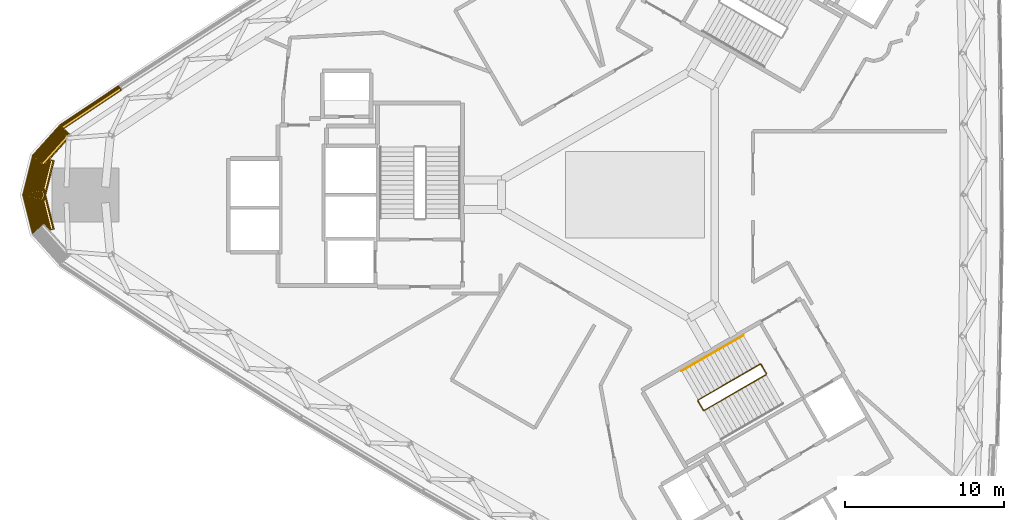
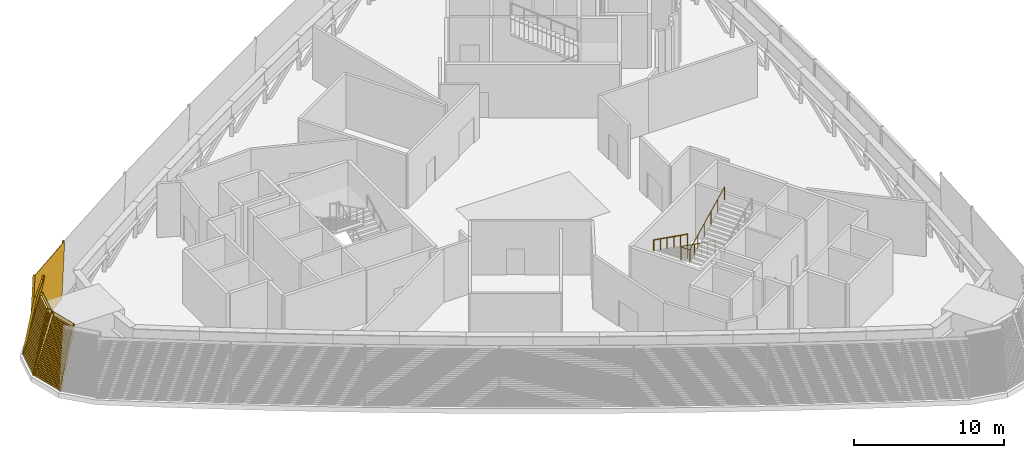
# One storey, part 17 of 19: 4 coverings, 2 railings.
"""IFC4 building model written with IfcOpenShell, lengths in metres."""

import ifcopenshell
import ifcopenshell.guid

model = None  # the IFC model being written
_history = None  # IfcOwnerHistory: only IFC2X3 demands one
_inside = {}  # id of a spatial element -> (the spatial element, [elements in it])
_under = {}  # id of a project, library or spatial element -> (it, [spatial elements below it])
_declared = {}  # id of a project -> (the project, [libraries it declares])
_typed = {}  # id of a type object -> (the type object, [elements of that type])
_made_of = {}  # id of a material, layer set ... -> (it, [elements and type objects made of it])


def new_model(schema):
    """Start an empty IFC model of exactly this schema.

    Asked for "IFC4X3", IfcOpenShell would pick the latest addendum, in which some entities
    have other attributes; the version numbers below select the first issue.
    IFC2X3 requires an IfcOwnerHistory on every rooted entity: one is made here for all.
    """
    global model, _history
    if schema == "IFC4X3":
        model = ifcopenshell.file(schema_version=(4, 3, 0, 0))
    else:
        model = ifcopenshell.file(schema=schema)
    _inside.clear()
    _under.clear()
    _declared.clear()
    _typed.clear()
    _made_of.clear()
    _history = None
    if model.schema == "IFC2X3":
        org = make("IfcOrganization", Name="unknown")
        user = make(
            "IfcPersonAndOrganization",
            ThePerson=make("IfcPerson", FamilyName="unknown"),
            TheOrganization=org,
        )
        app = make(
            "IfcApplication",
            ApplicationDeveloper=org,
            Version="unknown",
            ApplicationFullName="unknown",
            ApplicationIdentifier="unknown",
        )
        _history = make(
            "IfcOwnerHistory",
            OwningUser=user,
            OwningApplication=app,
            ChangeAction="ADDED",
            CreationDate=0,
        )
    return model


def make(cls, **values):
    """One entity of the class cls with the attributes given. An attribute that is None is left unset."""
    return model.create_entity(
        cls, **{name: value for name, value in values.items() if value is not None}
    )


def rooted(cls, **values):
    """An entity with a GlobalId (a new one), such as an element, a storey or a relation."""
    return make(cls, GlobalId=ifcopenshell.guid.new(), OwnerHistory=_history, **values)


def si_unit(unit_type, name, prefix=None):
    """IfcSIUnit, for example si_unit("LENGTHUNIT", "METRE", prefix="MILLI")."""
    return make("IfcSIUnit", UnitType=unit_type, Prefix=prefix, Name=name)


def assignment(units):
    """IfcUnitAssignment: the units of a project."""
    return None if units is None else make("IfcUnitAssignment", Units=units)


def point(xyz):
    """IfcCartesianPoint."""
    return None if xyz is None else make("IfcCartesianPoint", Coordinates=xyz)


def direction(xyz):
    """IfcDirection."""
    return None if xyz is None else make("IfcDirection", DirectionRatios=xyz)


def frame(location, z_axis=None, x_axis=None):
    """IfcAxis2Placement3D, a coordinate frame: its origin and axes. An axis left out is left unset."""
    return make(
        "IfcAxis2Placement3D",
        Location=point(location),
        Axis=direction(z_axis),
        RefDirection=direction(x_axis),
    )


def frame_2d(location, x_axis=None):
    """IfcAxis2Placement2D, a coordinate frame in the plane: its origin and x axis."""
    return make(
        "IfcAxis2Placement2D", Location=point(location), RefDirection=direction(x_axis)
    )


def origin():
    """The frame at (0, 0, 0) with its axes left unset."""
    return frame((0.0, 0.0, 0.0))


def origin_2d():
    """The frame at (0, 0) in the plane with its x axis left unset."""
    return frame_2d((0.0, 0.0))


def place(relative_to, where):
    """IfcLocalPlacement: puts the frame where relative to a parent placement (None: the world)."""
    return make(
        "IfcLocalPlacement", PlacementRelTo=relative_to, RelativePlacement=where
    )


def context(
    kind, dimensions, precision=None, world=None, true_north=None, identifier=None
):
    """IfcGeometricRepresentationContext, for example the 3D "Model" context."""
    return make(
        "IfcGeometricRepresentationContext",
        ContextIdentifier=identifier,
        ContextType=kind,
        CoordinateSpaceDimension=dimensions,
        Precision=precision,
        WorldCoordinateSystem=world,
        TrueNorth=true_north,
    )


def subcontext(parent, identifier, kind, view, scale=None):
    """IfcGeometricRepresentationSubContext, for example "Body" below "Model"."""
    return make(
        "IfcGeometricRepresentationSubContext",
        ContextIdentifier=identifier,
        ContextType=kind,
        ParentContext=parent,
        TargetScale=scale,
        TargetView=view,
    )


def project(units=None, contexts=None):
    """IfcProject with its units and contexts."""
    return rooted(
        "IfcProject",
        Name="project",
        RepresentationContexts=contexts,
        UnitsInContext=assignment(units),
    )


def spatial(cls, under=None, at=None, **own):
    """A site, building, storey or space (cls), placed at a placement, below another one or the project."""
    s = rooted(cls, ObjectPlacement=at, **own)
    if under is not None:
        _under.setdefault(under.id(), (under, []))[1].append(s)
    return s


def profile(cls, at=None, kind="AREA", **sizes):
    """A parametric profile (cls). Its sizes go by their IFC names, for example OverallWidth=200.0."""
    return make(cls, ProfileType=kind, Position=at, **sizes)


def rectangle(**sizes):
    """IfcRectangleProfileDef."""
    return profile("IfcRectangleProfileDef", **sizes)


def circle(**sizes):
    """IfcCircleProfileDef."""
    return profile("IfcCircleProfileDef", **sizes)


def extrude(swept, where, along, depth):
    """IfcExtrudedAreaSolid: the profile swept, set in the frame where, extruded along a direction by depth."""
    return make(
        "IfcExtrudedAreaSolid",
        SweptArea=swept,
        Position=where,
        ExtrudedDirection=direction(along),
        Depth=depth,
    )


def shape(context_of_items, identifier, shape_type, items):
    """IfcShapeRepresentation: the items that make up one representation, for example the "Body"."""
    return make(
        "IfcShapeRepresentation",
        ContextOfItems=context_of_items,
        RepresentationIdentifier=identifier,
        RepresentationType=shape_type,
        Items=items,
    )


def source(mapping_origin, context_of_items, identifier, shape_type, items):
    """IfcRepresentationMap: a shape defined once, which mapped items show again and again."""
    return make(
        "IfcRepresentationMap",
        MappingOrigin=mapping_origin,
        MappedRepresentation=shape(context_of_items, identifier, shape_type, items),
    )


def transform(
    local_origin,
    x_axis=None,
    y_axis=None,
    z_axis=None,
    scale=None,
    scale2=None,
    scale3=None,
    uniform=True,
):
    """IfcCartesianTransformationOperator3D, or its non-uniform kind. x_axis, y_axis, z_axis: its Axis1, 2, 3."""
    if uniform:
        return make(
            "IfcCartesianTransformationOperator3D",
            Axis1=direction(x_axis),
            Axis2=direction(y_axis),
            LocalOrigin=point(local_origin),
            Scale=scale,
            Axis3=direction(z_axis),
        )
    return make(
        "IfcCartesianTransformationOperator3DnonUniform",
        Axis1=direction(x_axis),
        Axis2=direction(y_axis),
        LocalOrigin=point(local_origin),
        Scale=scale,
        Axis3=direction(z_axis),
        Scale2=scale2,
        Scale3=scale3,
    )


def mapped(mapping_source, mapping_target):
    """IfcMappedItem: shows the shape of a source again, moved by a transform."""
    return make(
        "IfcMappedItem", MappingSource=mapping_source, MappingTarget=mapping_target
    )


def material(Name=None, Category=None):
    """IfcMaterial."""
    return make("IfcMaterial", Name=Name, Category=Category)


def made_of(thing, what):
    """Note that an element or type object is made of a material, layer set ...; save() writes the relation."""
    if what is not None:
        _made_of.setdefault(what.id(), (what, []))[1].append(thing)
    return thing


def type_object(cls, material=None, **own):
    """A type object (cls), such as IfcWallType, which elements share."""
    return made_of(rooted(cls, **own), material)


def element(
    cls,
    number,
    at=None,
    inside=None,
    cuts=None,
    type_object=None,
    material=None,
    context=None,
    identifier="Body",
    shape_type=None,
    held_by="IfcProductDefinitionShape",
    body=None,
    shapes=None,
    **own,
):
    """One element of the class cls, such as IfcWall. Its Tag is "e" and its number.

    at: its placement. inside: the storey or other place that contains it. cuts: it is an
    opening in that element (IfcRelVoidsElement). A single representation is given by context,
    identifier, shape_type and body (its items); several are given by shapes. held_by: the class
    of the entity that holds the representations. save() writes the other relations.
    """
    e = rooted(cls, Tag="e%d" % number, ObjectPlacement=at, **own)
    if body is not None:
        shapes = [shape(context, identifier, shape_type, body)]
    if shapes is not None:
        e.Representation = make(held_by, Representations=shapes)
    if inside is not None:
        _inside.setdefault(inside.id(), (inside, []))[1].append(e)
    if cuts is not None:
        rooted(
            "IfcRelVoidsElement", RelatingBuildingElement=cuts, RelatedOpeningElement=e
        )
    if type_object is not None:
        _typed.setdefault(type_object.id(), (type_object, []))[1].append(e)
    return made_of(e, material)


def aggregate(whole, parts):
    """IfcRelAggregates: a whole, such as a stair, and the parts it consists of."""
    return rooted("IfcRelAggregates", RelatingObject=whole, RelatedObjects=parts)


def save(model, path):
    """Write the relations noted so far, then the file.

    IfcRelAggregates (storeys below a building ...), IfcRelContainedInSpatialStructure (elements
    in a storey), IfcRelDefinesByType, IfcRelAssociatesMaterial and IfcRelDeclares: one each for
    every whole, place, type object, material and project.
    """
    for whole, parts in _under.values():
        aggregate(whole, parts)
    for where, things in _inside.values():
        rooted(
            "IfcRelContainedInSpatialStructure",
            RelatedElements=things,
            RelatingStructure=where,
        )
    for kind, things in _typed.values():
        rooted("IfcRelDefinesByType", RelatedObjects=things, RelatingType=kind)
    for what, things in _made_of.values():
        rooted("IfcRelAssociatesMaterial", RelatedObjects=things, RelatingMaterial=what)
    for by, libraries in _declared.values():
        rooted("IfcRelDeclares", RelatingContext=by, RelatedDefinitions=libraries)
    model.write(path)


model = new_model("IFC4")

# Units and contexts
model_context = context("Model", 3, precision=1e-05, world=origin(), true_north=direction((0.0, 1.0)))
body_context = subcontext(model_context, "Body", "Model", "MODEL_VIEW")
ifc_project = project(units=[si_unit("LENGTHUNIT", "METRE"), si_unit("AREAUNIT", "SQUARE_METRE"), si_unit("VOLUMEUNIT", "CUBIC_METRE"), si_unit("PLANEANGLEUNIT", "RADIAN"), si_unit("MASSUNIT", "GRAM", prefix="KILO")], contexts=[model_context])

# Site, building, storey
site_placement = place(None, origin())
site = spatial("IfcSite", under=ifc_project, at=site_placement, CompositionType="ELEMENT")
building_placement = place(site_placement, origin())
building = spatial("IfcBuilding", under=site, at=building_placement, Name="Tamra Quay Hotel Tower", CompositionType="ELEMENT")
storey_placement = place(building_placement, frame((0.0, 0.0, 74.60009765625)))
storey = spatial("IfcBuildingStorey", under=building, at=storey_placement, Name="L17", CompositionType="ELEMENT", Elevation=74.60009765625)

# Railings
ifc_material_1 = material(Name="Stair guard 1100")
railing_type_1 = type_object("IfcRailingType", Name="Stair guard 1100", PredefinedType="GUARDRAIL", material=ifc_material_1)
railing_1_placement = place(storey_placement, frame((8.245849609375, -11.221923828125, 0.0)))
element("IfcRailing", 1, at=railing_1_placement, inside=storey, type_object=railing_type_1, Name="GR", PredefinedType="GUARDRAIL", context=body_context, shape_type="SweptSolid", body=[
    extrude(circle(Radius=0.02392578125, at=origin_2d()), frame((0.0, 0.0, 1.076171875), z_axis=(-0.500043078269, 0.866000531106, 0.0), x_axis=(-0.866000531106, -0.500043078269, 0.0)), (0.0, 0.0, 1.0), 0.6591796875),
    extrude(circle(Radius=0.02392578125, at=origin_2d()), frame((-0.32958984375, 0.57080078125, 1.076171875), z_axis=(-0.41238007866, 0.110458949641, 0.904290601062), x_axis=(-0.258736085224, -0.965948051503, 0.0)), (0.0, 0.0, 1.0), 0.165771484375),
    extrude(circle(Radius=0.02392578125, at=origin_2d()), frame((-0.39794921875, 0.589111328125, 1.22607421875), z_axis=(-0.774075664405, -0.446909609502, 0.448417959844), x_axis=(0.499997328569, -0.86602694613, 0.0)), (0.0, 0.0, 1.0), 5.017578125),
    extrude(circle(Radius=0.02392578125, at=origin_2d()), frame((-4.281982421875, -1.6533203125, 3.47607421875), z_axis=(-0.258736085224, -0.965948051503, 0.0), x_axis=(0.965948051503, -0.258736085224, 0.0)), (0.0, 0.0, 1.0), 0.07080078125),
    extrude(circle(Radius=0.02392578125, at=origin_2d()), frame((-4.30029296875, -1.7216796875, 3.47607421875), z_axis=(0.499765215335, -0.866160914346, 0.0), x_axis=(0.866160914346, 0.499765215335, 0.0)), (0.0, 0.0, 1.0), 0.658935546875),
    extrude(circle(Radius=0.02392578125, at=origin_2d()), frame((-3.970947265625, -2.29248046875, 3.47607421875), z_axis=(0.41238007866, -0.110458949641, 0.904290601062), x_axis=(0.258736085224, 0.965948051503, 0.0)), (0.0, 0.0, 1.0), 0.165771484375),
    extrude(circle(Radius=0.02392578125, at=origin_2d()), frame((-3.902587890625, -2.310791015625, 3.6259765625), z_axis=(0.774078333318, 0.446931714007, 0.448391321173), x_axis=(-0.500014583029, 0.866016984105, 0.0)), (0.0, 0.0, 1.0), 5.017822265625),
    extrude(circle(Radius=0.02099609375, at=origin_2d()), origin(), (0.0, 0.0, 1.0), 1.052001953125),
    extrude(circle(Radius=0.02099609375, at=origin_2d()), frame((-0.32958984375, 0.57080078125, 0.0)), (0.0, 0.0, 1.0), 1.052001953125),
    extrude(circle(Radius=0.02099609375, at=origin_2d()), frame((-0.39794921875, 0.589111328125, 0.14990234375)), (0.0, 0.0, 1.0), 1.052001953125),
    extrude(circle(Radius=0.02099609375, at=origin_2d()), frame((-1.1748046875, 0.140625, 0.599853515625)), (0.0, 0.0, 1.0), 1.052001953125),
    extrude(circle(Radius=0.02099609375, at=origin_2d()), frame((-1.95166015625, -0.307861328125, 1.0498046875)), (0.0, 0.0, 1.0), 1.052001953125),
    extrude(circle(Radius=0.02099609375, at=origin_2d()), frame((-2.728271484375, -0.75634765625, 1.5)), (0.0, 0.0, 1.0), 1.052001953125),
    extrude(circle(Radius=0.02099609375, at=origin_2d()), frame((-3.505126953125, -1.204833984375, 1.949951171875)), (0.0, 0.0, 1.0), 1.052001953125),
    extrude(circle(Radius=0.02099609375, at=origin_2d()), frame((-4.281982421875, -1.6533203125, 2.39990234375)), (0.0, 0.0, 1.0), 1.052001953125),
    extrude(circle(Radius=0.02099609375, at=origin_2d()), frame((-4.30029296875, -1.7216796875, 2.39990234375)), (0.0, 0.0, 1.0), 1.052001953125),
    extrude(circle(Radius=0.02099609375, at=origin_2d()), frame((-3.970947265625, -2.29248046875, 2.39990234375)), (0.0, 0.0, 1.0), 1.052001953125),
    extrude(circle(Radius=0.02099609375, at=origin_2d()), frame((-3.902587890625, -2.310791015625, 2.5498046875)), (0.0, 0.0, 1.0), 1.052001953125),
    extrude(circle(Radius=0.02099609375, at=origin_2d()), frame((-3.125732421875, -1.8623046875, 2.999755859375)), (0.0, 0.0, 1.0), 1.052001953125),
    extrude(circle(Radius=0.02099609375, at=origin_2d()), frame((-2.348876953125, -1.413818359375, 3.44970703125)), (0.0, 0.0, 1.0), 1.052001953125),
    extrude(circle(Radius=0.02099609375, at=origin_2d()), frame((-1.572021484375, -0.965087890625, 3.89990234375)), (0.0, 0.0, 1.0), 1.052001953125),
    extrude(circle(Radius=0.02099609375, at=origin_2d()), frame((-0.795166015625, -0.5166015625, 4.349853515625)), (0.0, 0.0, 1.0), 1.052001953125),
    extrude(circle(Radius=0.02099609375, at=origin_2d()), frame((-0.018310546875, -0.068115234375, 4.7998046875)), (0.0, 0.0, 1.0), 1.052001953125),
])
ifc_material_2 = material(Name="Stair handrail 900")
railing_type_2 = type_object("IfcRailingType", Name="Stair handrail 900", PredefinedType="HANDRAIL", material=ifc_material_2)
railing_2_placement = place(storey_placement, frame((6.7978515625, -8.814208984375, 0.14990234375)))
element("IfcRailing", 2, at=railing_2_placement, inside=storey, type_object=railing_type_2, Name="HR", PredefinedType="HANDRAIL", context=body_context, shape_type="SweptSolid", body=[
    extrude(circle(Radius=0.02392578125, at=origin_2d()), frame((0.0, 0.0, 0.8759765625), z_axis=(-0.774075664405, -0.446909609502, 0.448417959844), x_axis=(0.499997328569, -0.86602694613, 0.0)), (0.0, 0.0, 1.0), 5.017578125),
    extrude(circle(Radius=0.02099609375, at=origin_2d()), origin(), (0.0, 0.0, 1.0), 0.851806640625),
    extrude(circle(Radius=0.02099609375, at=origin_2d()), frame((-0.77685546875, -0.448486328125, 0.449951171875)), (0.0, 0.0, 1.0), 0.851806640625),
    extrude(circle(Radius=0.02099609375, at=origin_2d()), frame((-1.5537109375, -0.89697265625, 0.89990234375)), (0.0, 0.0, 1.0), 0.851806640625),
    extrude(circle(Radius=0.02099609375, at=origin_2d()), frame((-2.330322265625, -1.345458984375, 1.35009765625)), (0.0, 0.0, 1.0), 0.851806640625),
    extrude(circle(Radius=0.02099609375, at=origin_2d()), frame((-3.107177734375, -1.7939453125, 1.800048828125)), (0.0, 0.0, 1.0), 0.851806640625),
    extrude(circle(Radius=0.02099609375, at=origin_2d()), frame((-3.884033203125, -2.242431640625, 2.25)), (0.0, 0.0, 1.0), 0.851806640625),
])

# Coverings
ifc_material_3 = material(Name="Terracotta louvre panel", Category="masonry")
covering_type_1 = type_object("IfcCoveringType", Name="PLANT LOUVRE H4805", PredefinedType="USERDEFINED", material=ifc_material_3)
shared_shape_1 = source(origin(), body_context, "Body", "SweptSolid", [
    extrude(rectangle(XDim=4.4599609375, YDim=0.030029296875, at=frame_2d((2.22998046875, 0.01513671875))), frame((-2.22998046875, -0.030029296875, 0.0)), (0.0, 0.0, 1.0), 4.804931640625),
    extrude(rectangle(XDim=0.050048828125, YDim=0.139892578125, at=frame_2d((0.02490234375, 0.06982421875))), frame((-2.22998046875, -0.169921875, 0.0)), (0.0, 0.0, 1.0), 4.804931640625),
    extrude(rectangle(XDim=0.050048828125, YDim=0.139892578125, at=frame_2d((0.02490234375, 0.06982421875))), frame((2.179931640625, -0.169921875, 0.0)), (0.0, 0.0, 1.0), 4.804931640625),
    extrude(rectangle(XDim=4.360107421875, YDim=0.139892578125, at=frame_2d((2.18017578125, 0.06982421875))), frame((-2.179931640625, -0.169921875, 0.050048828125)), (0.0, 0.0, 1.0), 0.034912109375),
    extrude(rectangle(XDim=4.360107421875, YDim=0.139892578125, at=frame_2d((2.18017578125, 0.06982421875))), frame((-2.179931640625, -0.169921875, 0.2099609375)), (0.0, 0.0, 1.0), 0.034912109375),
    extrude(rectangle(XDim=4.360107421875, YDim=0.139892578125, at=frame_2d((2.18017578125, 0.06982421875))), frame((-2.179931640625, -0.169921875, 0.3701171875)), (0.0, 0.0, 1.0), 0.034912109375),
    extrude(rectangle(XDim=4.360107421875, YDim=0.139892578125, at=frame_2d((2.18017578125, 0.06982421875))), frame((-2.179931640625, -0.169921875, 0.530029296875)), (0.0, 0.0, 1.0), 0.034912109375),
    extrude(rectangle(XDim=4.360107421875, YDim=0.139892578125, at=frame_2d((2.18017578125, 0.06982421875))), frame((-2.179931640625, -0.169921875, 0.68994140625)), (0.0, 0.0, 1.0), 0.034912109375),
    extrude(rectangle(XDim=4.360107421875, YDim=0.139892578125, at=frame_2d((2.18017578125, 0.06982421875))), frame((-2.179931640625, -0.169921875, 0.85009765625)), (0.0, 0.0, 1.0), 0.034912109375),
    extrude(rectangle(XDim=4.360107421875, YDim=0.139892578125, at=frame_2d((2.18017578125, 0.06982421875))), frame((-2.179931640625, -0.169921875, 1.010009765625)), (0.0, 0.0, 1.0), 0.034912109375),
    extrude(rectangle(XDim=4.360107421875, YDim=0.139892578125, at=frame_2d((2.18017578125, 0.06982421875))), frame((-2.179931640625, -0.169921875, 1.169921875)), (0.0, 0.0, 1.0), 0.034912109375),
    extrude(rectangle(XDim=4.360107421875, YDim=0.139892578125, at=frame_2d((2.18017578125, 0.06982421875))), frame((-2.179931640625, -0.169921875, 1.330078125)), (0.0, 0.0, 1.0), 0.034912109375),
    extrude(rectangle(XDim=4.360107421875, YDim=0.139892578125, at=frame_2d((2.18017578125, 0.06982421875))), frame((-2.179931640625, -0.169921875, 1.489990234375)), (0.0, 0.0, 1.0), 0.034912109375),
    extrude(rectangle(XDim=4.360107421875, YDim=0.139892578125, at=frame_2d((2.18017578125, 0.06982421875))), frame((-2.179931640625, -0.169921875, 1.64990234375)), (0.0, 0.0, 1.0), 0.034912109375),
    extrude(rectangle(XDim=4.360107421875, YDim=0.139892578125, at=frame_2d((2.18017578125, 0.06982421875))), frame((-2.179931640625, -0.169921875, 1.81005859375)), (0.0, 0.0, 1.0), 0.034912109375),
    extrude(rectangle(XDim=4.360107421875, YDim=0.139892578125, at=frame_2d((2.18017578125, 0.06982421875))), frame((-2.179931640625, -0.169921875, 1.969970703125)), (0.0, 0.0, 1.0), 0.034912109375),
    extrude(rectangle(XDim=4.360107421875, YDim=0.139892578125, at=frame_2d((2.18017578125, 0.06982421875))), frame((-2.179931640625, -0.169921875, 2.1298828125)), (0.0, 0.0, 1.0), 0.034912109375),
    extrude(rectangle(XDim=4.360107421875, YDim=0.139892578125, at=frame_2d((2.18017578125, 0.06982421875))), frame((-2.179931640625, -0.169921875, 2.2900390625)), (0.0, 0.0, 1.0), 0.034912109375),
    extrude(rectangle(XDim=4.360107421875, YDim=0.139892578125, at=frame_2d((2.18017578125, 0.06982421875))), frame((-2.179931640625, -0.169921875, 2.449951171875)), (0.0, 0.0, 1.0), 0.034912109375),
    extrude(rectangle(XDim=4.360107421875, YDim=0.139892578125, at=frame_2d((2.18017578125, 0.06982421875))), frame((-2.179931640625, -0.169921875, 2.610107421875)), (0.0, 0.0, 1.0), 0.034912109375),
    extrude(rectangle(XDim=4.360107421875, YDim=0.139892578125, at=frame_2d((2.18017578125, 0.06982421875))), frame((-2.179931640625, -0.169921875, 2.77001953125)), (0.0, 0.0, 1.0), 0.034912109375),
    extrude(rectangle(XDim=4.360107421875, YDim=0.139892578125, at=frame_2d((2.18017578125, 0.06982421875))), frame((-2.179931640625, -0.169921875, 2.929931640625)), (0.0, 0.0, 1.0), 0.034912109375),
    extrude(rectangle(XDim=4.360107421875, YDim=0.139892578125, at=frame_2d((2.18017578125, 0.06982421875))), frame((-2.179931640625, -0.169921875, 3.090087890625)), (0.0, 0.0, 1.0), 0.034912109375),
    extrude(rectangle(XDim=4.360107421875, YDim=0.139892578125, at=frame_2d((2.18017578125, 0.06982421875))), frame((-2.179931640625, -0.169921875, 3.25)), (0.0, 0.0, 1.0), 0.034912109375),
    extrude(rectangle(XDim=4.360107421875, YDim=0.139892578125, at=frame_2d((2.18017578125, 0.06982421875))), frame((-2.179931640625, -0.169921875, 3.409912109375)), (0.0, 0.0, 1.0), 0.034912109375),
    extrude(rectangle(XDim=4.360107421875, YDim=0.139892578125, at=frame_2d((2.18017578125, 0.06982421875))), frame((-2.179931640625, -0.169921875, 3.570068359375)), (0.0, 0.0, 1.0), 0.034912109375),
    extrude(rectangle(XDim=4.360107421875, YDim=0.139892578125, at=frame_2d((2.18017578125, 0.06982421875))), frame((-2.179931640625, -0.169921875, 3.72998046875)), (0.0, 0.0, 1.0), 0.034912109375),
    extrude(rectangle(XDim=4.360107421875, YDim=0.139892578125, at=frame_2d((2.18017578125, 0.06982421875))), frame((-2.179931640625, -0.169921875, 3.889892578125)), (0.0, 0.0, 1.0), 0.034912109375),
    extrude(rectangle(XDim=4.360107421875, YDim=0.139892578125, at=frame_2d((2.18017578125, 0.06982421875))), frame((-2.179931640625, -0.169921875, 4.050048828125)), (0.0, 0.0, 1.0), 0.034912109375),
    extrude(rectangle(XDim=4.360107421875, YDim=0.139892578125, at=frame_2d((2.18017578125, 0.06982421875))), frame((-2.179931640625, -0.169921875, 4.2099609375)), (0.0, 0.0, 1.0), 0.034912109375),
    extrude(rectangle(XDim=4.360107421875, YDim=0.139892578125, at=frame_2d((2.18017578125, 0.06982421875))), frame((-2.179931640625, -0.169921875, 4.3701171875)), (0.0, 0.0, 1.0), 0.034912109375),
    extrude(rectangle(XDim=4.360107421875, YDim=0.139892578125, at=frame_2d((2.18017578125, 0.06982421875))), frame((-2.179931640625, -0.169921875, 4.530029296875)), (0.0, 0.0, 1.0), 0.034912109375),
])
covering_1_placement = place(storey_placement, frame((-34.197265625, 5.5146484375, 0.0), z_axis=(0.02421218986, -0.036282513919, 0.999048221582), x_axis=(-0.831797879585, -0.555078631833, 0.0)))
element("IfcCovering", 3, at=covering_1_placement, inside=storey, type_object=covering_type_1, Name="Plant louvre L17.NW.f12", ObjectType="LOUVER", PredefinedType="USERDEFINED", context=body_context, shape_type="MappedRepresentation", body=[
    mapped(shared_shape_1, transform((0.0, 0.0, 0.0), scale=1.0)),
])
covering_type_2 = type_object("IfcCoveringType", Name="PLANT LOUVRE H4874", PredefinedType="USERDEFINED", material=ifc_material_3)
shared_shape_2 = source(origin(), body_context, "Body", "SweptSolid", [
    extrude(rectangle(XDim=2.60009765625, YDim=0.030029296875, at=frame_2d((1.300048828125, 0.01513671875))), frame((-1.300048828125, -0.030029296875, 0.0)), (0.0, 0.0, 1.0), 4.8740234375),
    extrude(rectangle(XDim=0.050048828125, YDim=0.139892578125, at=frame_2d((0.02490234375, 0.06982421875))), frame((-1.300048828125, -0.169921875, 0.0)), (0.0, 0.0, 1.0), 4.8740234375),
    extrude(rectangle(XDim=0.050048828125, YDim=0.139892578125, at=frame_2d((0.02490234375, 0.06982421875))), frame((1.25, -0.169921875, 0.0)), (0.0, 0.0, 1.0), 4.8740234375),
    extrude(rectangle(XDim=2.5, YDim=0.139892578125, at=frame_2d((1.25, 0.06982421875))), frame((-1.25, -0.169921875, 0.050048828125)), (0.0, 0.0, 1.0), 0.034912109375),
    extrude(rectangle(XDim=2.5, YDim=0.139892578125, at=frame_2d((1.25, 0.06982421875))), frame((-1.25, -0.169921875, 0.2099609375)), (0.0, 0.0, 1.0), 0.034912109375),
    extrude(rectangle(XDim=2.5, YDim=0.139892578125, at=frame_2d((1.25, 0.06982421875))), frame((-1.25, -0.169921875, 0.3701171875)), (0.0, 0.0, 1.0), 0.034912109375),
    extrude(rectangle(XDim=2.5, YDim=0.139892578125, at=frame_2d((1.25, 0.06982421875))), frame((-1.25, -0.169921875, 0.530029296875)), (0.0, 0.0, 1.0), 0.034912109375),
    extrude(rectangle(XDim=2.5, YDim=0.139892578125, at=frame_2d((1.25, 0.06982421875))), frame((-1.25, -0.169921875, 0.68994140625)), (0.0, 0.0, 1.0), 0.034912109375),
    extrude(rectangle(XDim=2.5, YDim=0.139892578125, at=frame_2d((1.25, 0.06982421875))), frame((-1.25, -0.169921875, 0.85009765625)), (0.0, 0.0, 1.0), 0.034912109375),
    extrude(rectangle(XDim=2.5, YDim=0.139892578125, at=frame_2d((1.25, 0.06982421875))), frame((-1.25, -0.169921875, 1.010009765625)), (0.0, 0.0, 1.0), 0.034912109375),
    extrude(rectangle(XDim=2.5, YDim=0.139892578125, at=frame_2d((1.25, 0.06982421875))), frame((-1.25, -0.169921875, 1.169921875)), (0.0, 0.0, 1.0), 0.034912109375),
    extrude(rectangle(XDim=2.5, YDim=0.139892578125, at=frame_2d((1.25, 0.06982421875))), frame((-1.25, -0.169921875, 1.330078125)), (0.0, 0.0, 1.0), 0.034912109375),
    extrude(rectangle(XDim=2.5, YDim=0.139892578125, at=frame_2d((1.25, 0.06982421875))), frame((-1.25, -0.169921875, 1.489990234375)), (0.0, 0.0, 1.0), 0.034912109375),
    extrude(rectangle(XDim=2.5, YDim=0.139892578125, at=frame_2d((1.25, 0.06982421875))), frame((-1.25, -0.169921875, 1.64990234375)), (0.0, 0.0, 1.0), 0.034912109375),
    extrude(rectangle(XDim=2.5, YDim=0.139892578125, at=frame_2d((1.25, 0.06982421875))), frame((-1.25, -0.169921875, 1.81005859375)), (0.0, 0.0, 1.0), 0.034912109375),
    extrude(rectangle(XDim=2.5, YDim=0.139892578125, at=frame_2d((1.25, 0.06982421875))), frame((-1.25, -0.169921875, 1.969970703125)), (0.0, 0.0, 1.0), 0.034912109375),
    extrude(rectangle(XDim=2.5, YDim=0.139892578125, at=frame_2d((1.25, 0.06982421875))), frame((-1.25, -0.169921875, 2.1298828125)), (0.0, 0.0, 1.0), 0.034912109375),
    extrude(rectangle(XDim=2.5, YDim=0.139892578125, at=frame_2d((1.25, 0.06982421875))), frame((-1.25, -0.169921875, 2.2900390625)), (0.0, 0.0, 1.0), 0.034912109375),
    extrude(rectangle(XDim=2.5, YDim=0.139892578125, at=frame_2d((1.25, 0.06982421875))), frame((-1.25, -0.169921875, 2.449951171875)), (0.0, 0.0, 1.0), 0.034912109375),
    extrude(rectangle(XDim=2.5, YDim=0.139892578125, at=frame_2d((1.25, 0.06982421875))), frame((-1.25, -0.169921875, 2.610107421875)), (0.0, 0.0, 1.0), 0.034912109375),
    extrude(rectangle(XDim=2.5, YDim=0.139892578125, at=frame_2d((1.25, 0.06982421875))), frame((-1.25, -0.169921875, 2.77001953125)), (0.0, 0.0, 1.0), 0.034912109375),
    extrude(rectangle(XDim=2.5, YDim=0.139892578125, at=frame_2d((1.25, 0.06982421875))), frame((-1.25, -0.169921875, 2.929931640625)), (0.0, 0.0, 1.0), 0.034912109375),
    extrude(rectangle(XDim=2.5, YDim=0.139892578125, at=frame_2d((1.25, 0.06982421875))), frame((-1.25, -0.169921875, 3.090087890625)), (0.0, 0.0, 1.0), 0.034912109375),
    extrude(rectangle(XDim=2.5, YDim=0.139892578125, at=frame_2d((1.25, 0.06982421875))), frame((-1.25, -0.169921875, 3.25)), (0.0, 0.0, 1.0), 0.034912109375),
    extrude(rectangle(XDim=2.5, YDim=0.139892578125, at=frame_2d((1.25, 0.06982421875))), frame((-1.25, -0.169921875, 3.409912109375)), (0.0, 0.0, 1.0), 0.034912109375),
    extrude(rectangle(XDim=2.5, YDim=0.139892578125, at=frame_2d((1.25, 0.06982421875))), frame((-1.25, -0.169921875, 3.570068359375)), (0.0, 0.0, 1.0), 0.034912109375),
    extrude(rectangle(XDim=2.5, YDim=0.139892578125, at=frame_2d((1.25, 0.06982421875))), frame((-1.25, -0.169921875, 3.72998046875)), (0.0, 0.0, 1.0), 0.034912109375),
    extrude(rectangle(XDim=2.5, YDim=0.139892578125, at=frame_2d((1.25, 0.06982421875))), frame((-1.25, -0.169921875, 3.889892578125)), (0.0, 0.0, 1.0), 0.034912109375),
    extrude(rectangle(XDim=2.5, YDim=0.139892578125, at=frame_2d((1.25, 0.06982421875))), frame((-1.25, -0.169921875, 4.050048828125)), (0.0, 0.0, 1.0), 0.034912109375),
    extrude(rectangle(XDim=2.5, YDim=0.139892578125, at=frame_2d((1.25, 0.06982421875))), frame((-1.25, -0.169921875, 4.2099609375)), (0.0, 0.0, 1.0), 0.034912109375),
    extrude(rectangle(XDim=2.5, YDim=0.139892578125, at=frame_2d((1.25, 0.06982421875))), frame((-1.25, -0.169921875, 4.3701171875)), (0.0, 0.0, 1.0), 0.034912109375),
    extrude(rectangle(XDim=2.5, YDim=0.139892578125, at=frame_2d((1.25, 0.06982421875))), frame((-1.25, -0.169921875, 4.530029296875)), (0.0, 0.0, 1.0), 0.034912109375),
])
covering_2_placement = place(storey_placement, frame((-36.8876953125, 3.33935546875, 0.0), z_axis=(0.12904862274, -0.116190113933, 0.984807753012), x_axis=(-0.669112198553, -0.743161399527, 0.0)))
element("IfcCovering", 4, at=covering_2_placement, inside=storey, type_object=covering_type_2, Name="Plant louvre L17.NW.c00", ObjectType="LOUVER", PredefinedType="USERDEFINED", context=body_context, shape_type="MappedRepresentation", body=[
    mapped(shared_shape_2, transform((0.0, 0.0, 0.0), scale=1.0)),
])
covering_type_3 = type_object("IfcCoveringType", Name="PLANT LOUVRE H4969", PredefinedType="USERDEFINED", material=ifc_material_3)
shared_shape_3 = source(origin(), body_context, "Body", "SweptSolid", [
    extrude(rectangle(XDim=2.60009765625, YDim=0.030029296875, at=frame_2d((1.300048828125, 0.01513671875))), frame((-1.300048828125, -0.030029296875, 0.0)), (0.0, 0.0, 1.0), 4.968994140625),
    extrude(rectangle(XDim=0.050048828125, YDim=0.139892578125, at=frame_2d((0.02490234375, 0.06982421875))), frame((-1.300048828125, -0.169921875, 0.0)), (0.0, 0.0, 1.0), 4.968994140625),
    extrude(rectangle(XDim=0.050048828125, YDim=0.139892578125, at=frame_2d((0.02490234375, 0.06982421875))), frame((1.25, -0.169921875, 0.0)), (0.0, 0.0, 1.0), 4.968994140625),
    extrude(rectangle(XDim=2.5, YDim=0.139892578125, at=frame_2d((1.25, 0.06982421875))), frame((-1.25, -0.169921875, 0.050048828125)), (0.0, 0.0, 1.0), 0.034912109375),
    extrude(rectangle(XDim=2.5, YDim=0.139892578125, at=frame_2d((1.25, 0.06982421875))), frame((-1.25, -0.169921875, 0.2099609375)), (0.0, 0.0, 1.0), 0.034912109375),
    extrude(rectangle(XDim=2.5, YDim=0.139892578125, at=frame_2d((1.25, 0.06982421875))), frame((-1.25, -0.169921875, 0.3701171875)), (0.0, 0.0, 1.0), 0.034912109375),
    extrude(rectangle(XDim=2.5, YDim=0.139892578125, at=frame_2d((1.25, 0.06982421875))), frame((-1.25, -0.169921875, 0.530029296875)), (0.0, 0.0, 1.0), 0.034912109375),
    extrude(rectangle(XDim=2.5, YDim=0.139892578125, at=frame_2d((1.25, 0.06982421875))), frame((-1.25, -0.169921875, 0.68994140625)), (0.0, 0.0, 1.0), 0.034912109375),
    extrude(rectangle(XDim=2.5, YDim=0.139892578125, at=frame_2d((1.25, 0.06982421875))), frame((-1.25, -0.169921875, 0.85009765625)), (0.0, 0.0, 1.0), 0.034912109375),
    extrude(rectangle(XDim=2.5, YDim=0.139892578125, at=frame_2d((1.25, 0.06982421875))), frame((-1.25, -0.169921875, 1.010009765625)), (0.0, 0.0, 1.0), 0.034912109375),
    extrude(rectangle(XDim=2.5, YDim=0.139892578125, at=frame_2d((1.25, 0.06982421875))), frame((-1.25, -0.169921875, 1.169921875)), (0.0, 0.0, 1.0), 0.034912109375),
    extrude(rectangle(XDim=2.5, YDim=0.139892578125, at=frame_2d((1.25, 0.06982421875))), frame((-1.25, -0.169921875, 1.330078125)), (0.0, 0.0, 1.0), 0.034912109375),
    extrude(rectangle(XDim=2.5, YDim=0.139892578125, at=frame_2d((1.25, 0.06982421875))), frame((-1.25, -0.169921875, 1.489990234375)), (0.0, 0.0, 1.0), 0.034912109375),
    extrude(rectangle(XDim=2.5, YDim=0.139892578125, at=frame_2d((1.25, 0.06982421875))), frame((-1.25, -0.169921875, 1.64990234375)), (0.0, 0.0, 1.0), 0.034912109375),
    extrude(rectangle(XDim=2.5, YDim=0.139892578125, at=frame_2d((1.25, 0.06982421875))), frame((-1.25, -0.169921875, 1.81005859375)), (0.0, 0.0, 1.0), 0.034912109375),
    extrude(rectangle(XDim=2.5, YDim=0.139892578125, at=frame_2d((1.25, 0.06982421875))), frame((-1.25, -0.169921875, 1.969970703125)), (0.0, 0.0, 1.0), 0.034912109375),
    extrude(rectangle(XDim=2.5, YDim=0.139892578125, at=frame_2d((1.25, 0.06982421875))), frame((-1.25, -0.169921875, 2.1298828125)), (0.0, 0.0, 1.0), 0.034912109375),
    extrude(rectangle(XDim=2.5, YDim=0.139892578125, at=frame_2d((1.25, 0.06982421875))), frame((-1.25, -0.169921875, 2.2900390625)), (0.0, 0.0, 1.0), 0.034912109375),
    extrude(rectangle(XDim=2.5, YDim=0.139892578125, at=frame_2d((1.25, 0.06982421875))), frame((-1.25, -0.169921875, 2.449951171875)), (0.0, 0.0, 1.0), 0.034912109375),
    extrude(rectangle(XDim=2.5, YDim=0.139892578125, at=frame_2d((1.25, 0.06982421875))), frame((-1.25, -0.169921875, 2.610107421875)), (0.0, 0.0, 1.0), 0.034912109375),
    extrude(rectangle(XDim=2.5, YDim=0.139892578125, at=frame_2d((1.25, 0.06982421875))), frame((-1.25, -0.169921875, 2.77001953125)), (0.0, 0.0, 1.0), 0.034912109375),
    extrude(rectangle(XDim=2.5, YDim=0.139892578125, at=frame_2d((1.25, 0.06982421875))), frame((-1.25, -0.169921875, 2.929931640625)), (0.0, 0.0, 1.0), 0.034912109375),
    extrude(rectangle(XDim=2.5, YDim=0.139892578125, at=frame_2d((1.25, 0.06982421875))), frame((-1.25, -0.169921875, 3.090087890625)), (0.0, 0.0, 1.0), 0.034912109375),
    extrude(rectangle(XDim=2.5, YDim=0.139892578125, at=frame_2d((1.25, 0.06982421875))), frame((-1.25, -0.169921875, 3.25)), (0.0, 0.0, 1.0), 0.034912109375),
    extrude(rectangle(XDim=2.5, YDim=0.139892578125, at=frame_2d((1.25, 0.06982421875))), frame((-1.25, -0.169921875, 3.409912109375)), (0.0, 0.0, 1.0), 0.034912109375),
    extrude(rectangle(XDim=2.5, YDim=0.139892578125, at=frame_2d((1.25, 0.06982421875))), frame((-1.25, -0.169921875, 3.570068359375)), (0.0, 0.0, 1.0), 0.034912109375),
    extrude(rectangle(XDim=2.5, YDim=0.139892578125, at=frame_2d((1.25, 0.06982421875))), frame((-1.25, -0.169921875, 3.72998046875)), (0.0, 0.0, 1.0), 0.034912109375),
    extrude(rectangle(XDim=2.5, YDim=0.139892578125, at=frame_2d((1.25, 0.06982421875))), frame((-1.25, -0.169921875, 3.889892578125)), (0.0, 0.0, 1.0), 0.034912109375),
    extrude(rectangle(XDim=2.5, YDim=0.139892578125, at=frame_2d((1.25, 0.06982421875))), frame((-1.25, -0.169921875, 4.050048828125)), (0.0, 0.0, 1.0), 0.034912109375),
    extrude(rectangle(XDim=2.5, YDim=0.139892578125, at=frame_2d((1.25, 0.06982421875))), frame((-1.25, -0.169921875, 4.2099609375)), (0.0, 0.0, 1.0), 0.034912109375),
    extrude(rectangle(XDim=2.5, YDim=0.139892578125, at=frame_2d((1.25, 0.06982421875))), frame((-1.25, -0.169921875, 4.3701171875)), (0.0, 0.0, 1.0), 0.034912109375),
    extrude(rectangle(XDim=2.5, YDim=0.139892578125, at=frame_2d((1.25, 0.06982421875))), frame((-1.25, -0.169921875, 4.530029296875)), (0.0, 0.0, 1.0), 0.034912109375),
    extrude(rectangle(XDim=2.5, YDim=0.139892578125, at=frame_2d((1.25, 0.06982421875))), frame((-1.25, -0.169921875, 4.68994140625)), (0.0, 0.0, 1.0), 0.034912109375),
])
for number, where, z_axis, x_axis, name in (
    (5, (-38.021240234375, 1.207275390625, 0.0), (0.251131530314, -0.062611920511, 0.965925826289), (-0.241913884219, -0.970297723702, 0.0), "Plant louvre L17.NW.c01"),
    (6, (-38.021240234375, -1.207275390625, 0.0), (0.251131530314, 0.062611920511, 0.965925826289), (0.24191388422, -0.970297723702, 0.0), "Plant louvre L17.NW.c02"),
):
    element("IfcCovering", number, at=place(storey_placement, frame(where, z_axis=z_axis, x_axis=x_axis)), inside=storey, type_object=covering_type_3, Name=name, ObjectType="LOUVER", PredefinedType="USERDEFINED", context=body_context, shape_type="MappedRepresentation", body=[
        mapped(shared_shape_3, transform((0.0, 0.0, 0.0), scale=1.0)),
    ])

save(model, "model.ifc")
